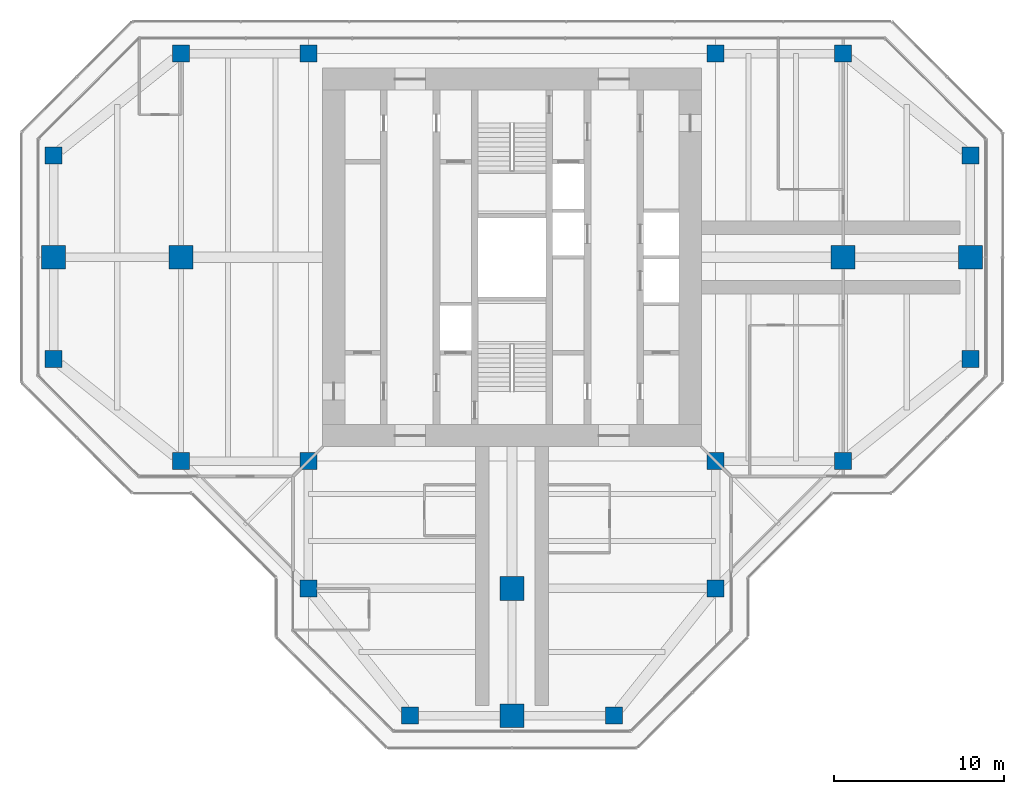
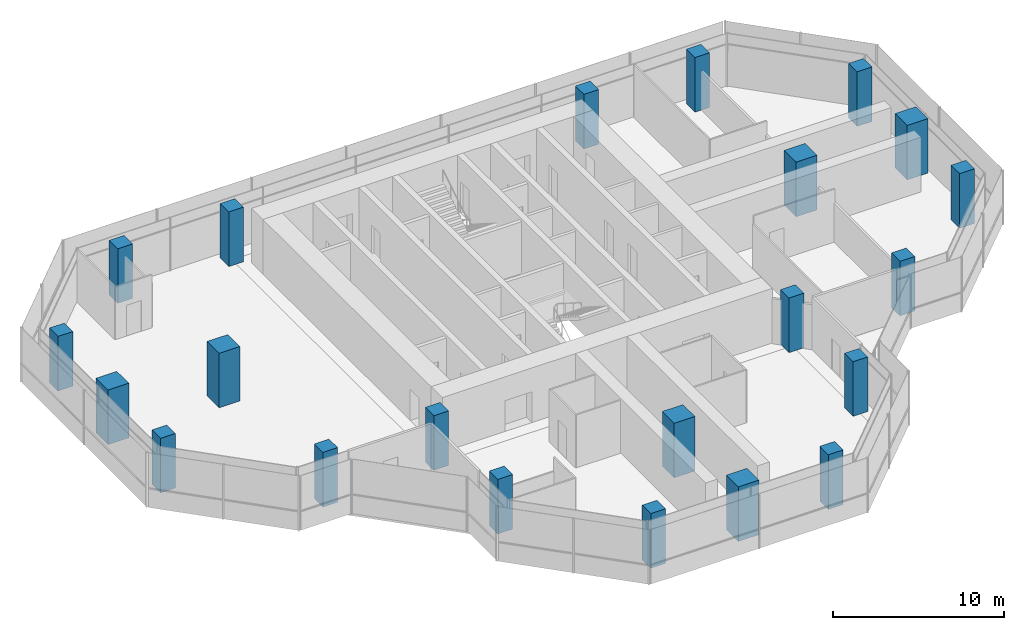
# One storey, part 1 of 15: 22 columns.
"""IFC4 building model written with IfcOpenShell, lengths in metres."""

import ifcopenshell
import ifcopenshell.guid

model = None  # the IFC model being written
_history = None  # IfcOwnerHistory: only IFC2X3 demands one
_inside = {}  # id of a spatial element -> (the spatial element, [elements in it])
_under = {}  # id of a project, library or spatial element -> (it, [spatial elements below it])
_declared = {}  # id of a project -> (the project, [libraries it declares])
_typed = {}  # id of a type object -> (the type object, [elements of that type])
_made_of = {}  # id of a material, layer set ... -> (it, [elements and type objects made of it])


def new_model(schema):
    """Start an empty IFC model of exactly this schema.

    Asked for "IFC4X3", IfcOpenShell would pick the latest addendum, in which some entities
    have other attributes; the version numbers below select the first issue.
    IFC2X3 requires an IfcOwnerHistory on every rooted entity: one is made here for all.
    """
    global model, _history
    if schema == "IFC4X3":
        model = ifcopenshell.file(schema_version=(4, 3, 0, 0))
    else:
        model = ifcopenshell.file(schema=schema)
    _inside.clear()
    _under.clear()
    _declared.clear()
    _typed.clear()
    _made_of.clear()
    _history = None
    if model.schema == "IFC2X3":
        org = make("IfcOrganization", Name="unknown")
        user = make(
            "IfcPersonAndOrganization",
            ThePerson=make("IfcPerson", FamilyName="unknown"),
            TheOrganization=org,
        )
        app = make(
            "IfcApplication",
            ApplicationDeveloper=org,
            Version="unknown",
            ApplicationFullName="unknown",
            ApplicationIdentifier="unknown",
        )
        _history = make(
            "IfcOwnerHistory",
            OwningUser=user,
            OwningApplication=app,
            ChangeAction="ADDED",
            CreationDate=0,
        )
    return model


def make(cls, **values):
    """One entity of the class cls with the attributes given. An attribute that is None is left unset."""
    return model.create_entity(
        cls, **{name: value for name, value in values.items() if value is not None}
    )


def rooted(cls, **values):
    """An entity with a GlobalId (a new one), such as an element, a storey or a relation."""
    return make(cls, GlobalId=ifcopenshell.guid.new(), OwnerHistory=_history, **values)


def si_unit(unit_type, name, prefix=None):
    """IfcSIUnit, for example si_unit("LENGTHUNIT", "METRE", prefix="MILLI")."""
    return make("IfcSIUnit", UnitType=unit_type, Prefix=prefix, Name=name)


def assignment(units):
    """IfcUnitAssignment: the units of a project."""
    return None if units is None else make("IfcUnitAssignment", Units=units)


def point(xyz):
    """IfcCartesianPoint."""
    return None if xyz is None else make("IfcCartesianPoint", Coordinates=xyz)


def direction(xyz):
    """IfcDirection."""
    return None if xyz is None else make("IfcDirection", DirectionRatios=xyz)


def frame(location, z_axis=None, x_axis=None):
    """IfcAxis2Placement3D, a coordinate frame: its origin and axes. An axis left out is left unset."""
    return make(
        "IfcAxis2Placement3D",
        Location=point(location),
        Axis=direction(z_axis),
        RefDirection=direction(x_axis),
    )


def frame_2d(location, x_axis=None):
    """IfcAxis2Placement2D, a coordinate frame in the plane: its origin and x axis."""
    return make(
        "IfcAxis2Placement2D", Location=point(location), RefDirection=direction(x_axis)
    )


def origin():
    """The frame at (0, 0, 0) with its axes left unset."""
    return frame((0.0, 0.0, 0.0))


def origin_2d():
    """The frame at (0, 0) in the plane with its x axis left unset."""
    return frame_2d((0.0, 0.0))


def place(relative_to, where):
    """IfcLocalPlacement: puts the frame where relative to a parent placement (None: the world)."""
    return make(
        "IfcLocalPlacement", PlacementRelTo=relative_to, RelativePlacement=where
    )


def context(
    kind, dimensions, precision=None, world=None, true_north=None, identifier=None
):
    """IfcGeometricRepresentationContext, for example the 3D "Model" context."""
    return make(
        "IfcGeometricRepresentationContext",
        ContextIdentifier=identifier,
        ContextType=kind,
        CoordinateSpaceDimension=dimensions,
        Precision=precision,
        WorldCoordinateSystem=world,
        TrueNorth=true_north,
    )


def subcontext(parent, identifier, kind, view, scale=None):
    """IfcGeometricRepresentationSubContext, for example "Body" below "Model"."""
    return make(
        "IfcGeometricRepresentationSubContext",
        ContextIdentifier=identifier,
        ContextType=kind,
        ParentContext=parent,
        TargetScale=scale,
        TargetView=view,
    )


def project(units=None, contexts=None):
    """IfcProject with its units and contexts."""
    return rooted(
        "IfcProject",
        Name="project",
        RepresentationContexts=contexts,
        UnitsInContext=assignment(units),
    )


def spatial(cls, under=None, at=None, **own):
    """A site, building, storey or space (cls), placed at a placement, below another one or the project."""
    s = rooted(cls, ObjectPlacement=at, **own)
    if under is not None:
        _under.setdefault(under.id(), (under, []))[1].append(s)
    return s


def profile(cls, at=None, kind="AREA", **sizes):
    """A parametric profile (cls). Its sizes go by their IFC names, for example OverallWidth=200.0."""
    return make(cls, ProfileType=kind, Position=at, **sizes)


def rectangle(**sizes):
    """IfcRectangleProfileDef."""
    return profile("IfcRectangleProfileDef", **sizes)


def extrude(swept, where, along, depth):
    """IfcExtrudedAreaSolid: the profile swept, set in the frame where, extruded along a direction by depth."""
    return make(
        "IfcExtrudedAreaSolid",
        SweptArea=swept,
        Position=where,
        ExtrudedDirection=direction(along),
        Depth=depth,
    )


def shape(context_of_items, identifier, shape_type, items):
    """IfcShapeRepresentation: the items that make up one representation, for example the "Body"."""
    return make(
        "IfcShapeRepresentation",
        ContextOfItems=context_of_items,
        RepresentationIdentifier=identifier,
        RepresentationType=shape_type,
        Items=items,
    )


def material(Name=None, Category=None):
    """IfcMaterial."""
    return make("IfcMaterial", Name=Name, Category=Category)


def material_profile(
    of_material, cross_section, Name=None, Category=None, Priority=None
):
    """IfcMaterialProfile: a cross section and its material."""
    return make(
        "IfcMaterialProfile",
        Name=Name,
        Material=of_material,
        Profile=cross_section,
        Priority=Priority,
        Category=Category,
    )


def profile_set(profiles, Name=None, composite=None):
    """IfcMaterialProfileSet."""
    return make(
        "IfcMaterialProfileSet",
        Name=Name,
        MaterialProfiles=profiles,
        CompositeProfile=composite,
    )


def made_of(thing, what):
    """Note that an element or type object is made of a material, layer set ...; save() writes the relation."""
    if what is not None:
        _made_of.setdefault(what.id(), (what, []))[1].append(thing)
    return thing


def type_object(cls, material=None, **own):
    """A type object (cls), such as IfcWallType, which elements share."""
    return made_of(rooted(cls, **own), material)


def element(
    cls,
    number,
    at=None,
    inside=None,
    cuts=None,
    type_object=None,
    material=None,
    context=None,
    identifier="Body",
    shape_type=None,
    held_by="IfcProductDefinitionShape",
    body=None,
    shapes=None,
    **own,
):
    """One element of the class cls, such as IfcWall. Its Tag is "e" and its number.

    at: its placement. inside: the storey or other place that contains it. cuts: it is an
    opening in that element (IfcRelVoidsElement). A single representation is given by context,
    identifier, shape_type and body (its items); several are given by shapes. held_by: the class
    of the entity that holds the representations. save() writes the other relations.
    """
    e = rooted(cls, Tag="e%d" % number, ObjectPlacement=at, **own)
    if body is not None:
        shapes = [shape(context, identifier, shape_type, body)]
    if shapes is not None:
        e.Representation = make(held_by, Representations=shapes)
    if inside is not None:
        _inside.setdefault(inside.id(), (inside, []))[1].append(e)
    if cuts is not None:
        rooted(
            "IfcRelVoidsElement", RelatingBuildingElement=cuts, RelatedOpeningElement=e
        )
    if type_object is not None:
        _typed.setdefault(type_object.id(), (type_object, []))[1].append(e)
    return made_of(e, material)


def aggregate(whole, parts):
    """IfcRelAggregates: a whole, such as a stair, and the parts it consists of."""
    return rooted("IfcRelAggregates", RelatingObject=whole, RelatedObjects=parts)


def save(model, path):
    """Write the relations noted so far, then the file.

    IfcRelAggregates (storeys below a building ...), IfcRelContainedInSpatialStructure (elements
    in a storey), IfcRelDefinesByType, IfcRelAssociatesMaterial and IfcRelDeclares: one each for
    every whole, place, type object, material and project.
    """
    for whole, parts in _under.values():
        aggregate(whole, parts)
    for where, things in _inside.values():
        rooted(
            "IfcRelContainedInSpatialStructure",
            RelatedElements=things,
            RelatingStructure=where,
        )
    for kind, things in _typed.values():
        rooted("IfcRelDefinesByType", RelatedObjects=things, RelatingType=kind)
    for what, things in _made_of.values():
        rooted("IfcRelAssociatesMaterial", RelatedObjects=things, RelatingMaterial=what)
    for by, libraries in _declared.values():
        rooted("IfcRelDeclares", RelatingContext=by, RelatedDefinitions=libraries)
    model.write(path)


model = new_model("IFC4")

# Units and contexts
model_context = context("Model", 3, precision=1e-05, world=origin(), true_north=direction((0.0, 1.0)))
body_context = subcontext(model_context, "Body", "Model", "MODEL_VIEW")
ifc_project = project(units=[si_unit("LENGTHUNIT", "METRE"), si_unit("AREAUNIT", "SQUARE_METRE"), si_unit("VOLUMEUNIT", "CUBIC_METRE"), si_unit("PLANEANGLEUNIT", "RADIAN"), si_unit("MASSUNIT", "GRAM", prefix="KILO")], contexts=[model_context])

# Site, building, storey
site_placement = place(None, origin())
site = spatial("IfcSite", under=ifc_project, at=site_placement, CompositionType="ELEMENT")
building_placement = place(site_placement, origin())
building = spatial("IfcBuilding", under=site, at=building_placement, Name="Mizan Broadcast Tower", CompositionType="ELEMENT")
storey_placement = place(building_placement, frame((0.0, 0.0, 275.10009765625)))
storey = spatial("IfcBuildingStorey", under=building, at=storey_placement, Name="L65", CompositionType="ELEMENT", Elevation=275.10009765625)

# Columns
ifc_material_1 = material(Name="Concrete C70/85", Category="concrete")
ifc_material_profile_1 = material_profile(ifc_material_1, rectangle(XDim=1.0, YDim=1.0, at=origin_2d()), Name="RC 1000x1000")
ifc_profile_set_1 = profile_set([ifc_material_profile_1], Name="Concrete C70/85")
column_type_1 = type_object("IfcColumnType", Name="RC COLUMN 1000x1000 C70/85", PredefinedType="COLUMN", material=ifc_profile_set_1)
for number, where, z_axis, x_axis, name in (
    (1, (-6.0, -27.0, 0.0), (0.0, 0.0, 1.0), (1.0, 0.0, 0.0), "Column 5/B L65"),
    (2, (6.0, -27.0, 0.0), (0.0, 0.0, 1.0), (1.0, 0.0, 0.0), "Column 7/B L65"),
    (3, (-12.0, -19.5, 0.0), (0.0, 0.0, 1.0), (1.0, 0.0, 0.0), "Column 4/C L65"),
    (4, (12.0, -19.5, 0.0), (0.0, 0.0, 1.0), (1.0, 0.0, 0.0), "Column 8/C L65"),
    (5, (-19.5, -12.0, 0.0), (0.0, 0.0, 1.0), (1.0, 0.0, 0.0), "Column 3/D L65"),
    (6, (-12.0, -12.0, 0.0), (0.0, 0.0, 1.0), (1.0, 0.0, 0.0), "Column 4/D L65"),
    (7, (12.0, -12.0, 0.0), (0.0, 0.0, 1.0), (1.0, 0.0, 0.0), "Column 8/D L65"),
    (8, (19.5, -12.0, 0.0), (0.0, 0.0, 1.0), (1.0, 0.0, 0.0), "Column 9/D L65"),
    (9, (-27.0, -6.0, 0.0), (0.0, 0.0, 1.0), (1.0, 0.0, 0.0), "Column 2/E L65"),
    (10, (27.0, -6.0, 0.0), (0.0, 0.0, 1.0), (1.0, 0.0, 0.0), "Column 10/E L65"),
    (11, (-27.0, 6.0, 0.0), (0.0, 0.0, 1.0), (1.0, 0.0, 0.0), "Column 2/G L65"),
    (12, (27.0, 6.0, 0.0), (0.0, 0.0, 1.0), (1.0, 0.0, 0.0), "Column 10/G L65"),
    (13, (-19.5, 12.0, 0.0), (0.0, 0.0, 1.0), (1.0, 0.0, 0.0), "Column 3/H L65"),
    (14, (-12.0, 12.0, 0.0), (0.0, 0.0, 1.0), (1.0, 0.0, 0.0), "Column 4/H L65"),
    (15, (12.0, 12.0, 0.0), (0.0, 0.0, 1.0), (1.0, 0.0, 0.0), "Column 8/H L65"),
    (16, (19.5, 12.0, 0.0), (0.0, 0.0, 1.0), (1.0, 0.0, 0.0), "Column 9/H L65"),
):
    element("IfcColumn", number, at=place(storey_placement, frame(where, z_axis=z_axis, x_axis=x_axis)), inside=storey, type_object=column_type_1, Name=name, PredefinedType="COLUMN", context=body_context, shape_type="SweptSolid", body=[
        extrude(rectangle(XDim=1.0, YDim=1.0, at=origin_2d()), origin(), (0.0, 0.0, 1.0), 3.89990234375),
    ])
ifc_material_2 = material(Name="Concrete C70/85", Category="concrete")
ifc_material_profile_2 = material_profile(ifc_material_2, rectangle(XDim=1.39990234375, YDim=1.39990234375, at=origin_2d()), Name="RC 1400x1400")
ifc_profile_set_2 = profile_set([ifc_material_profile_2], Name="Concrete C70/85")
column_type_2 = type_object("IfcColumnType", Name="RC COLUMN 1400x1400 C70/85", PredefinedType="COLUMN", material=ifc_profile_set_2)
for number, where, z_axis, x_axis, name in (
    (17, (0.0, -27.0, 0.0), (0.0, 0.0, 1.0), (1.0, 0.0, 0.0), "Column 6/B L65"),
    (18, (0.0, -19.5, 0.0), (0.0, 0.0, 1.0), (1.0, 0.0, 0.0), "Column 6/C L65"),
    (19, (-27.0, 0.0, 0.0), (0.0, 0.0, 1.0), (1.0, 0.0, 0.0), "Column 2/F L65"),
    (20, (-19.5, 0.0, 0.0), (0.0, 0.0, 1.0), (1.0, 0.0, 0.0), "Column 3/F L65"),
    (21, (19.5, 0.0, 0.0), (0.0, 0.0, 1.0), (1.0, 0.0, 0.0), "Column 9/F L65"),
    (22, (27.0, 0.0, 0.0), (0.0, 0.0, 1.0), (1.0, 0.0, 0.0), "Column 10/F L65"),
):
    element("IfcColumn", number, at=place(storey_placement, frame(where, z_axis=z_axis, x_axis=x_axis)), inside=storey, type_object=column_type_2, Name=name, PredefinedType="COLUMN", context=body_context, shape_type="SweptSolid", body=[
        extrude(rectangle(XDim=1.39990234375, YDim=1.39990234375, at=origin_2d()), origin(), (0.0, 0.0, 1.0), 3.89990234375),
    ])

save(model, "model.ifc")
